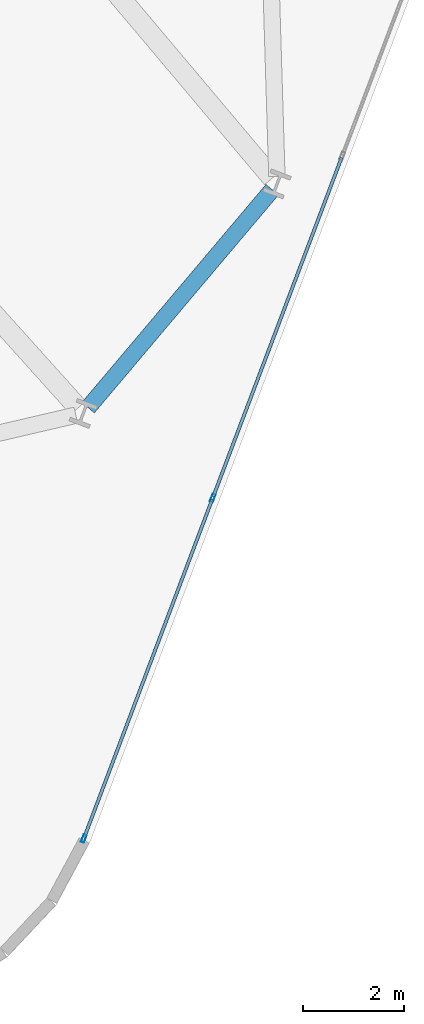
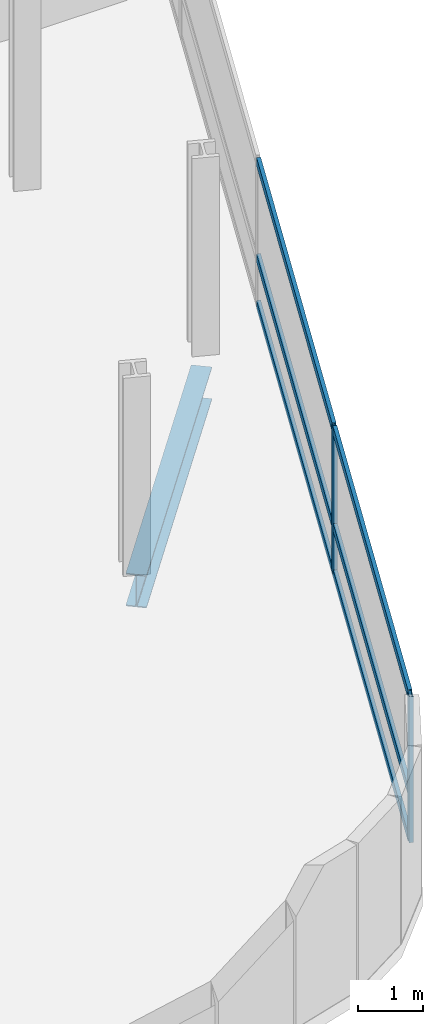
# One storey, part 10 of 24: 8 members, 1 beam, 1 element without a shape of its own.
"""IFC4 building model written with IfcOpenShell, lengths in metres."""

from ifc_helpers import new_model, si_unit, direction, frame, origin, origin_2d, place, context, subcontext, project, spatial, hollow_rectangle, i_section, extrude, material, layer, layer_set, material_profile, profile_set, type_object, element, aggregate, save


model = new_model("IFC4")

# Units and contexts
model_context = context("Model", 3, precision=1e-05, world=origin(), true_north=direction((0.0, 1.0)))
body_context = subcontext(model_context, "Body", "Model", "MODEL_VIEW")
ifc_project = project(units=[si_unit("LENGTHUNIT", "METRE"), si_unit("AREAUNIT", "SQUARE_METRE"), si_unit("VOLUMEUNIT", "CUBIC_METRE"), si_unit("PLANEANGLEUNIT", "RADIAN"), si_unit("MASSUNIT", "GRAM", prefix="KILO")], contexts=[model_context])

# Site, building, storey
site_placement = place(None, origin())
site = spatial("IfcSite", under=ifc_project, at=site_placement, CompositionType="ELEMENT")
building_placement = place(site_placement, origin())
building = spatial("IfcBuilding", under=site, at=building_placement, Name="Varnelok Gate Tower", CompositionType="ELEMENT")
storey_placement = place(building_placement, frame((0.0, 0.0, 102.10009765625)))
storey = spatial("IfcBuildingStorey", under=building, at=storey_placement, Name="L25", CompositionType="ELEMENT", Elevation=102.10009765625)

# Beam
ifc_material_1 = material(Name="Structural Steel ASTM A992 Grade 50", Category="steel")
ifc_material_profile_1 = material_profile(ifc_material_1, i_section(OverallWidth=0.323974609375, OverallDepth=0.611083984375, WebThickness=0.0126953125, FlangeThickness=0.01904296875, FilletRadius=0.01806640625, at=origin_2d()), Name="W24X104")
ifc_profile_set_1 = profile_set([ifc_material_profile_1], Name="Structural Steel ASTM A992 Grade 50")
beam_type = type_object("IfcBeamType", Name="BM-SPN-W24X104", PredefinedType="SPANDREL", material=ifc_profile_set_1)
beam_placement = place(storey_placement, frame((67.7333984375, 3.7421875, -0.5556640625), z_axis=(0.645380340265, 0.763861385592, 0.0), x_axis=(-0.763861385592, 0.645380340265, 0.0)))
element("IfcBeam", 1, at=beam_placement, inside=storey, type_object=beam_type, Name="L25 Perimeter Spandrel Beam 6", PredefinedType="SPANDREL", context=body_context, shape_type="SweptSolid", body=[
    extrude(i_section(OverallWidth=0.323974609375, OverallDepth=0.611083984375, WebThickness=0.0126953125, FlangeThickness=0.01904296875, FilletRadius=0.01806640625, at=origin_2d()), origin(), (0.0, 0.0, 1.0), 5.650146484375),
])

# Curtain wall, members
ifc_material_2 = material(Name="Anodized Aluminum Alloy 6063-T6", Category="aluminium")
ifc_layer = layer(ifc_material_2, 0.179931640625)
ifc_layer_set = layer_set([ifc_layer], Name="Anodized Aluminum Alloy 6063-T6")
curtain_wall_type = type_object("IfcCurtainWallType", Name="CW3-HOTEL-VISION", PredefinedType="USERDEFINED", material=ifc_layer_set)
curtain_wall_placement = place(storey_placement, origin())
curtain_wall = element("IfcCurtainWall", 2, at=curtain_wall_placement, inside=storey, type_object=curtain_wall_type, Name="L25 East End Vision Curtain Wall", ObjectType="UNITISED CURTAIN WALL", PredefinedType="USERDEFINED")
ifc_material_profile_2 = material_profile(ifc_material_2, hollow_rectangle(XDim=0.06494140625, YDim=0.159912109375, WallThickness=0.00390625, at=origin_2d()), Name="ALU160X65X4")
ifc_profile_set_2 = profile_set([ifc_material_profile_2], Name="Anodized Aluminum Alloy 6063-T6")
member_type_1 = type_object("IfcMemberType", Name="CW-MULL-160", PredefinedType="MULLION", material=ifc_profile_set_2)
member_1_placement = place(storey_placement, frame((70.201171875, 1.951171875, 0.0), z_axis=(0.0, 0.0, 1.0), x_axis=(0.935221323688, -0.354063660545, 0.0)))
member_1 = element("IfcMember", 3, at=member_1_placement, type_object=member_type_1, Name="CW3 mullion 5", PredefinedType="MULLION", context=body_context, shape_type="SweptSolid", body=[
    extrude(hollow_rectangle(XDim=0.06494140625, YDim=0.159912109375, WallThickness=0.00390625, at=origin_2d()), origin(), (0.0, 0.0, 1.0), 2.72998046875),
])
member_2_placement = place(storey_placement, frame((67.6494140625, -4.78955078125, 0.0), z_axis=(0.0, 0.0, 1.0), x_axis=(0.935221323688, -0.354063660545, 0.0)))
member_2 = element("IfcMember", 4, at=member_2_placement, type_object=member_type_1, Name="CW3 mullion 6", PredefinedType="MULLION", context=body_context, shape_type="SweptSolid", body=[
    extrude(hollow_rectangle(XDim=0.06494140625, YDim=0.159912109375, WallThickness=0.00390625, at=origin_2d()), origin(), (0.0, 0.0, 1.0), 2.72998046875),
])
ifc_material_profile_3 = material_profile(ifc_material_2, hollow_rectangle(XDim=0.06494140625, YDim=0.159912109375, WallThickness=0.00390625, at=origin_2d()), Name="ALU160X65X4")
ifc_profile_set_3 = profile_set([ifc_material_profile_3], Name="Anodized Aluminum Alloy 6063-T6")
member_type_2 = type_object("IfcMemberType", Name="CW-TRAN-160", PredefinedType="USERDEFINED", material=ifc_profile_set_3)
member_3_placement = place(storey_placement, frame((72.753173828125, 8.691650390625, 0.032470703125), z_axis=(-0.354078724634, -0.935215620465, 0.0), x_axis=(0.935215620465, -0.354078724634, 0.0)))
member_3 = element("IfcMember", 5, at=member_3_placement, type_object=member_type_2, Name="CW3 transom 4.1", ObjectType="TRANSOM", PredefinedType="USERDEFINED", context=body_context, shape_type="SweptSolid", body=[
    extrude(hollow_rectangle(XDim=0.06494140625, YDim=0.159912109375, WallThickness=0.00390625, at=origin_2d()), origin(), (0.0, 0.0, 1.0), 7.175048828125),
])
member_4_placement = place(storey_placement, frame((72.753173828125, 8.691650390625, 0.89990234375), z_axis=(-0.354078724634, -0.935215620465, 0.0), x_axis=(0.935215620465, -0.354078724634, 0.0)))
member_4 = element("IfcMember", 6, at=member_4_placement, type_object=member_type_2, Name="CW3 transom 4.2", ObjectType="TRANSOM", PredefinedType="USERDEFINED", context=body_context, shape_type="SweptSolid", body=[
    extrude(hollow_rectangle(XDim=0.06494140625, YDim=0.159912109375, WallThickness=0.00390625, at=origin_2d()), origin(), (0.0, 0.0, 1.0), 7.175048828125),
])
member_5_placement = place(storey_placement, frame((72.753173828125, 8.691650390625, 2.697509765625), z_axis=(-0.354078724634, -0.935215620465, 0.0), x_axis=(0.935215620465, -0.354078724634, 0.0)))
member_5 = element("IfcMember", 7, at=member_5_placement, type_object=member_type_2, Name="CW3 transom 4.3", ObjectType="TRANSOM", PredefinedType="USERDEFINED", context=body_context, shape_type="SweptSolid", body=[
    extrude(hollow_rectangle(XDim=0.06494140625, YDim=0.159912109375, WallThickness=0.00390625, at=origin_2d()), origin(), (0.0, 0.0, 1.0), 7.175048828125),
])
member_6_placement = place(storey_placement, frame((70.189697265625, 1.920654296875, 0.032470703125), z_axis=(-0.354058568643, -0.935223251406, 0.0), x_axis=(0.935223251406, -0.354058568643, 0.0)))
member_6 = element("IfcMember", 8, at=member_6_placement, type_object=member_type_2, Name="CW3 transom 5.1", ObjectType="TRANSOM", PredefinedType="USERDEFINED", context=body_context, shape_type="SweptSolid", body=[
    extrude(hollow_rectangle(XDim=0.06494140625, YDim=0.159912109375, WallThickness=0.00390625, at=origin_2d()), origin(), (0.0, 0.0, 1.0), 7.142333984375),
])
member_7_placement = place(storey_placement, frame((70.189697265625, 1.920654296875, 0.89990234375), z_axis=(-0.354058568643, -0.935223251406, 0.0), x_axis=(0.935223251406, -0.354058568643, 0.0)))
member_7 = element("IfcMember", 9, at=member_7_placement, type_object=member_type_2, Name="CW3 transom 5.2", ObjectType="TRANSOM", PredefinedType="USERDEFINED", context=body_context, shape_type="SweptSolid", body=[
    extrude(hollow_rectangle(XDim=0.06494140625, YDim=0.159912109375, WallThickness=0.00390625, at=origin_2d()), origin(), (0.0, 0.0, 1.0), 7.142333984375),
])
member_8_placement = place(storey_placement, frame((70.189697265625, 1.920654296875, 2.697509765625), z_axis=(-0.354058568643, -0.935223251406, 0.0), x_axis=(0.935223251406, -0.354058568643, 0.0)))
member_8 = element("IfcMember", 10, at=member_8_placement, type_object=member_type_2, Name="CW3 transom 5.3", ObjectType="TRANSOM", PredefinedType="USERDEFINED", context=body_context, shape_type="SweptSolid", body=[
    extrude(hollow_rectangle(XDim=0.06494140625, YDim=0.159912109375, WallThickness=0.00390625, at=origin_2d()), origin(), (0.0, 0.0, 1.0), 7.142333984375),
])
aggregate(curtain_wall, [member_1, member_2, member_3, member_4, member_5, member_6, member_7, member_8])

save(model, "model.ifc")
